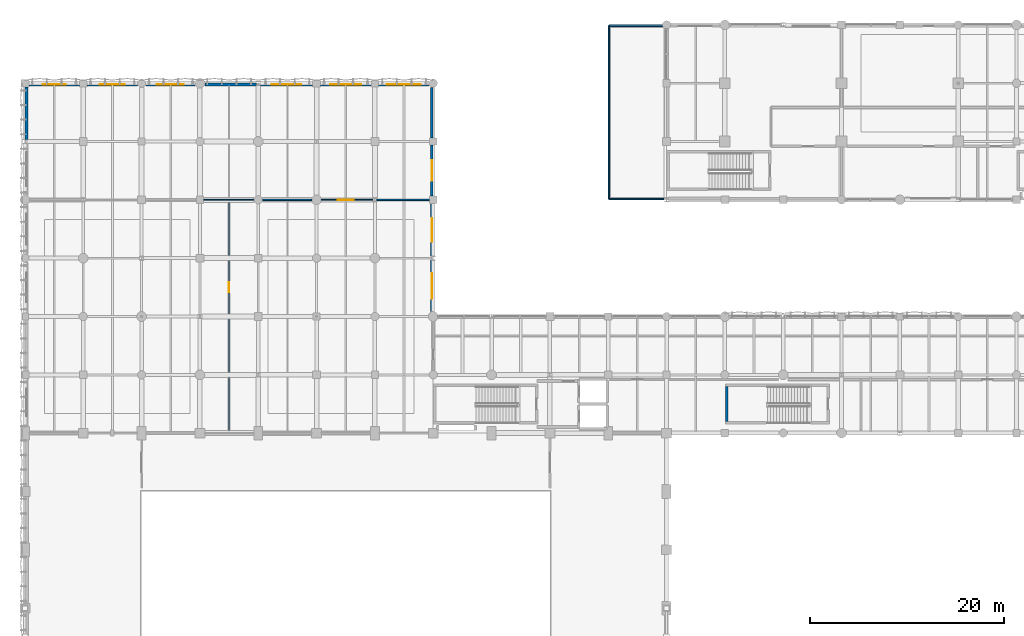
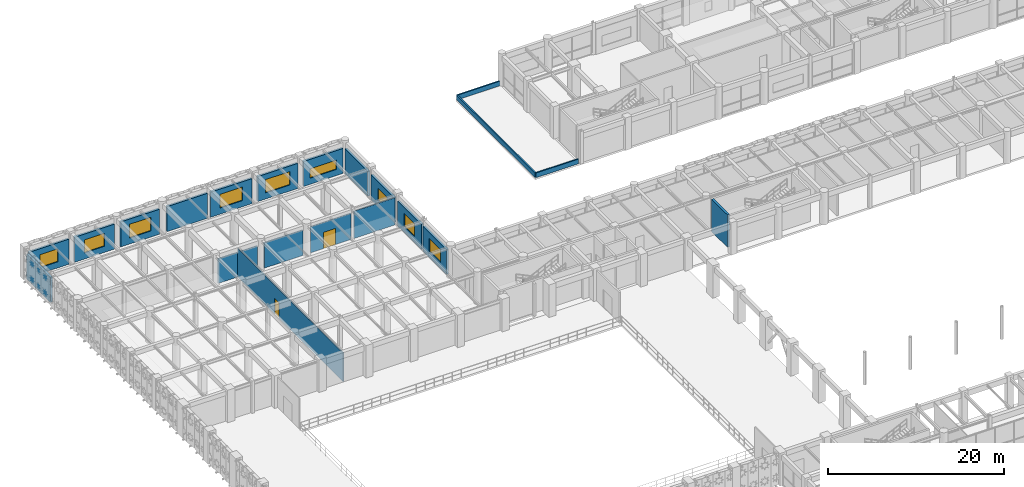
# One storey, part 100 of 133: 21 walls, 9 windows, 2 doors, 11 openings.
"""IFC4 building model written with IfcOpenShell, lengths in metres."""

import ifcopenshell
import ifcopenshell.guid

model = None  # the IFC model being written
_history = None  # IfcOwnerHistory: only IFC2X3 demands one
_inside = {}  # id of a spatial element -> (the spatial element, [elements in it])
_under = {}  # id of a project, library or spatial element -> (it, [spatial elements below it])
_declared = {}  # id of a project -> (the project, [libraries it declares])
_typed = {}  # id of a type object -> (the type object, [elements of that type])
_made_of = {}  # id of a material, layer set ... -> (it, [elements and type objects made of it])


def new_model(schema):
    """Start an empty IFC model of exactly this schema.

    Asked for "IFC4X3", IfcOpenShell would pick the latest addendum, in which some entities
    have other attributes; the version numbers below select the first issue.
    IFC2X3 requires an IfcOwnerHistory on every rooted entity: one is made here for all.
    """
    global model, _history
    if schema == "IFC4X3":
        model = ifcopenshell.file(schema_version=(4, 3, 0, 0))
    else:
        model = ifcopenshell.file(schema=schema)
    _inside.clear()
    _under.clear()
    _declared.clear()
    _typed.clear()
    _made_of.clear()
    _history = None
    if model.schema == "IFC2X3":
        org = make("IfcOrganization", Name="unknown")
        user = make(
            "IfcPersonAndOrganization",
            ThePerson=make("IfcPerson", FamilyName="unknown"),
            TheOrganization=org,
        )
        app = make(
            "IfcApplication",
            ApplicationDeveloper=org,
            Version="unknown",
            ApplicationFullName="unknown",
            ApplicationIdentifier="unknown",
        )
        _history = make(
            "IfcOwnerHistory",
            OwningUser=user,
            OwningApplication=app,
            ChangeAction="ADDED",
            CreationDate=0,
        )
    return model


def make(cls, **values):
    """One entity of the class cls with the attributes given. An attribute that is None is left unset."""
    return model.create_entity(
        cls, **{name: value for name, value in values.items() if value is not None}
    )


def rooted(cls, **values):
    """An entity with a GlobalId (a new one), such as an element, a storey or a relation."""
    return make(cls, GlobalId=ifcopenshell.guid.new(), OwnerHistory=_history, **values)


def si_unit(unit_type, name, prefix=None):
    """IfcSIUnit, for example si_unit("LENGTHUNIT", "METRE", prefix="MILLI")."""
    return make("IfcSIUnit", UnitType=unit_type, Prefix=prefix, Name=name)


def assignment(units):
    """IfcUnitAssignment: the units of a project."""
    return None if units is None else make("IfcUnitAssignment", Units=units)


def point(xyz):
    """IfcCartesianPoint."""
    return None if xyz is None else make("IfcCartesianPoint", Coordinates=xyz)


def direction(xyz):
    """IfcDirection."""
    return None if xyz is None else make("IfcDirection", DirectionRatios=xyz)


def frame(location, z_axis=None, x_axis=None):
    """IfcAxis2Placement3D, a coordinate frame: its origin and axes. An axis left out is left unset."""
    return make(
        "IfcAxis2Placement3D",
        Location=point(location),
        Axis=direction(z_axis),
        RefDirection=direction(x_axis),
    )


def frame_2d(location, x_axis=None):
    """IfcAxis2Placement2D, a coordinate frame in the plane: its origin and x axis."""
    return make(
        "IfcAxis2Placement2D", Location=point(location), RefDirection=direction(x_axis)
    )


def origin():
    """The frame at (0, 0, 0) with its axes left unset."""
    return frame((0.0, 0.0, 0.0))


def place(relative_to, where):
    """IfcLocalPlacement: puts the frame where relative to a parent placement (None: the world)."""
    return make(
        "IfcLocalPlacement", PlacementRelTo=relative_to, RelativePlacement=where
    )


def context(
    kind, dimensions, precision=None, world=None, true_north=None, identifier=None
):
    """IfcGeometricRepresentationContext, for example the 3D "Model" context."""
    return make(
        "IfcGeometricRepresentationContext",
        ContextIdentifier=identifier,
        ContextType=kind,
        CoordinateSpaceDimension=dimensions,
        Precision=precision,
        WorldCoordinateSystem=world,
        TrueNorth=true_north,
    )


def subcontext(parent, identifier, kind, view, scale=None):
    """IfcGeometricRepresentationSubContext, for example "Body" below "Model"."""
    return make(
        "IfcGeometricRepresentationSubContext",
        ContextIdentifier=identifier,
        ContextType=kind,
        ParentContext=parent,
        TargetScale=scale,
        TargetView=view,
    )


def project(units=None, contexts=None):
    """IfcProject with its units and contexts."""
    return rooted(
        "IfcProject",
        Name="project",
        RepresentationContexts=contexts,
        UnitsInContext=assignment(units),
    )


def spatial(cls, under=None, at=None, **own):
    """A site, building, storey or space (cls), placed at a placement, below another one or the project."""
    s = rooted(cls, ObjectPlacement=at, **own)
    if under is not None:
        _under.setdefault(under.id(), (under, []))[1].append(s)
    return s


def profile(cls, at=None, kind="AREA", **sizes):
    """A parametric profile (cls). Its sizes go by their IFC names, for example OverallWidth=200.0."""
    return make(cls, ProfileType=kind, Position=at, **sizes)


def rectangle(**sizes):
    """IfcRectangleProfileDef."""
    return profile("IfcRectangleProfileDef", **sizes)


def extrude(swept, where, along, depth):
    """IfcExtrudedAreaSolid: the profile swept, set in the frame where, extruded along a direction by depth."""
    return make(
        "IfcExtrudedAreaSolid",
        SweptArea=swept,
        Position=where,
        ExtrudedDirection=direction(along),
        Depth=depth,
    )


def shape(context_of_items, identifier, shape_type, items):
    """IfcShapeRepresentation: the items that make up one representation, for example the "Body"."""
    return make(
        "IfcShapeRepresentation",
        ContextOfItems=context_of_items,
        RepresentationIdentifier=identifier,
        RepresentationType=shape_type,
        Items=items,
    )


def material(Name=None, Category=None):
    """IfcMaterial."""
    return make("IfcMaterial", Name=Name, Category=Category)


def layer(
    of_material, thickness, ventilated=None, Name=None, Category=None, Priority=None
):
    """IfcMaterialLayer: one layer of a wall or slab, of a material (None: an air gap)."""
    return make(
        "IfcMaterialLayer",
        Material=of_material,
        LayerThickness=thickness,
        IsVentilated=ventilated,
        Name=Name,
        Category=Category,
        Priority=Priority,
    )


def layer_set(layers, Name=None):
    """IfcMaterialLayerSet."""
    return make("IfcMaterialLayerSet", MaterialLayers=layers, LayerSetName=Name)


def made_of(thing, what):
    """Note that an element or type object is made of a material, layer set ...; save() writes the relation."""
    if what is not None:
        _made_of.setdefault(what.id(), (what, []))[1].append(thing)
    return thing


def type_object(cls, material=None, **own):
    """A type object (cls), such as IfcWallType, which elements share."""
    return made_of(rooted(cls, **own), material)


def element(
    cls,
    number,
    at=None,
    inside=None,
    cuts=None,
    type_object=None,
    material=None,
    context=None,
    identifier="Body",
    shape_type=None,
    held_by="IfcProductDefinitionShape",
    body=None,
    shapes=None,
    **own,
):
    """One element of the class cls, such as IfcWall. Its Tag is "e" and its number.

    at: its placement. inside: the storey or other place that contains it. cuts: it is an
    opening in that element (IfcRelVoidsElement). A single representation is given by context,
    identifier, shape_type and body (its items); several are given by shapes. held_by: the class
    of the entity that holds the representations. save() writes the other relations.
    """
    e = rooted(cls, Tag="e%d" % number, ObjectPlacement=at, **own)
    if body is not None:
        shapes = [shape(context, identifier, shape_type, body)]
    if shapes is not None:
        e.Representation = make(held_by, Representations=shapes)
    if inside is not None:
        _inside.setdefault(inside.id(), (inside, []))[1].append(e)
    if cuts is not None:
        rooted(
            "IfcRelVoidsElement", RelatingBuildingElement=cuts, RelatedOpeningElement=e
        )
    if type_object is not None:
        _typed.setdefault(type_object.id(), (type_object, []))[1].append(e)
    return made_of(e, material)


def fill(opening, filler):
    """IfcRelFillsElement: the door or window that sits in an opening."""
    return rooted(
        "IfcRelFillsElement",
        RelatingOpeningElement=opening,
        RelatedBuildingElement=filler,
    )


def aggregate(whole, parts):
    """IfcRelAggregates: a whole, such as a stair, and the parts it consists of."""
    return rooted("IfcRelAggregates", RelatingObject=whole, RelatedObjects=parts)


def save(model, path):
    """Write the relations noted so far, then the file.

    IfcRelAggregates (storeys below a building ...), IfcRelContainedInSpatialStructure (elements
    in a storey), IfcRelDefinesByType, IfcRelAssociatesMaterial and IfcRelDeclares: one each for
    every whole, place, type object, material and project.
    """
    for whole, parts in _under.values():
        aggregate(whole, parts)
    for where, things in _inside.values():
        rooted(
            "IfcRelContainedInSpatialStructure",
            RelatedElements=things,
            RelatingStructure=where,
        )
    for kind, things in _typed.values():
        rooted("IfcRelDefinesByType", RelatedObjects=things, RelatingType=kind)
    for what, things in _made_of.values():
        rooted("IfcRelAssociatesMaterial", RelatedObjects=things, RelatingMaterial=what)
    for by, libraries in _declared.values():
        rooted("IfcRelDeclares", RelatingContext=by, RelatedDefinitions=libraries)
    model.write(path)


model = new_model("IFC4")

# Units and contexts
model_context = context("Model", 3, precision=1e-05, world=origin(), true_north=direction((0.0, 1.0)))
body_context = subcontext(model_context, "Body", "Model", "MODEL_VIEW")
ifc_project = project(units=[si_unit("LENGTHUNIT", "METRE"), si_unit("AREAUNIT", "SQUARE_METRE"), si_unit("VOLUMEUNIT", "CUBIC_METRE"), si_unit("PLANEANGLEUNIT", "RADIAN"), si_unit("MASSUNIT", "GRAM", prefix="KILO"), si_unit("THERMODYNAMICTEMPERATUREUNIT", "KELVIN"), si_unit("POWERUNIT", "WATT")], contexts=[model_context])

# Site, building, storey
site_placement = place(None, origin())
site = spatial("IfcSite", under=ifc_project, at=site_placement, CompositionType="ELEMENT")
building_placement = place(site_placement, origin())
building = spatial("IfcBuilding", under=site, at=building_placement, Name="Phaisarnlok Congress Hotel", CompositionType="ELEMENT")
storey_placement = place(building_placement, frame((0.0, 0.0, 6.0)))
storey = spatial("IfcBuildingStorey", under=building, at=storey_placement, Name="L01", CompositionType="ELEMENT", Elevation=6.0)

# Wall, opening, window
ifc_material_1 = material(Name="Concrete C40/50", Category="concrete")
ifc_layer_1 = layer(ifc_material_1, 0.2900390625, Name="Concrete C40/50")
ifc_layer_set_1 = layer_set([ifc_layer_1], Name="Concrete C40/50")
wall_type_1 = type_object("IfcWallType", Name="WL-EXT-290", PredefinedType="SOLIDWALL", material=ifc_layer_set_1)
wall_1_placement = place(storey_placement, frame((41.85498046875, 96.5048828125, 0.0), z_axis=(0.0, 0.0, 1.0), x_axis=(0.0, 1.0, 0.0)))
wall_1 = element("IfcWall", 1, at=wall_1_placement, inside=storey, type_object=wall_type_1, Name="Exterior wall EW-03 (L01)", PredefinedType="SOLIDWALL", context=body_context, shape_type="SweptSolid", body=[
    extrude(rectangle(XDim=5.29052734375, YDim=0.2900390625, at=frame_2d((2.645263671875, 0.0))), origin(), (0.0, 0.0, 1.0), 3.469970703125),
])
opening_1_placement = place(wall_1_placement, frame((1.344970703125, 0.0, 0.85009765625)))
opening_1 = element("IfcOpeningElement", 2, at=opening_1_placement, cuts=wall_1, Name="Opening W-07", PredefinedType="OPENING", context=body_context, shape_type="SweptSolid", body=[
    extrude(rectangle(XDim=2.60009765625, YDim=1.800048828125, at=frame_2d((1.300048828125, 0.89990234375))), frame((0.0, 0.155029296875, 0.0), z_axis=(0.0, -1.0, 0.0), x_axis=(1.0, 0.0, 0.0)), (0.0, 0.0, 1.0), 0.31005859375),
])
ifc_material_2 = material(Name="Thermally Broken Aluminium & Low-E Double Glazing", Category="aluminium")
window_type_1 = type_object("IfcWindowType", Name="WIN-POD-2600", PartitioningType="SINGLE_PANEL", PredefinedType="WINDOW", material=ifc_material_2)
window_1_placement = place(opening_1_placement, origin())
window_1 = element("IfcWindow", 3, at=window_1_placement, inside=storey, type_object=window_type_1, Name="Podium window W-07 (L01)", OverallHeight=1.800048828125, OverallWidth=2.60009765625, PartitioningType="SINGLE_PANEL", PredefinedType="WINDOW", context=body_context, shape_type="SweptSolid", body=[
    extrude(rectangle(XDim=2.60009765625, YDim=1.800048828125, at=frame_2d((1.300048828125, 0.89990234375))), frame((0.0, 0.030029296875, 0.0), z_axis=(0.0, -1.0, 0.0), x_axis=(1.0, 0.0, 0.0)), (0.0, 0.0, 1.0), 0.06005859375),
])
fill(opening_1, window_1)

wall_2_placement = place(storey_placement, frame((41.85498046875, 102.20458984375, 0.0), z_axis=(0.0, 0.0, 1.0), x_axis=(0.0, 1.0, 0.0)))
wall_2 = element("IfcWall", 4, at=wall_2_placement, inside=storey, type_object=wall_type_1, Name="Exterior wall EW-03 (L01)", PredefinedType="SOLIDWALL", context=body_context, shape_type="SweptSolid", body=[
    extrude(rectangle(XDim=5.390380859375, YDim=0.2900390625, at=frame_2d((2.6953125, 0.0))), origin(), (0.0, 0.0, 1.0), 3.469970703125),
])
opening_2_placement = place(wall_2_placement, frame((1.4951171875, 0.0, 0.85009765625)))
opening_2 = element("IfcOpeningElement", 5, at=opening_2_placement, cuts=wall_2, Name="Opening W-08", PredefinedType="OPENING", context=body_context, shape_type="SweptSolid", body=[
    extrude(rectangle(XDim=2.39990234375, YDim=1.800048828125, at=frame_2d((1.199951171875, 0.89990234375))), frame((0.0, 0.155029296875, 0.0), z_axis=(0.0, -1.0, 0.0), x_axis=(1.0, 0.0, 0.0)), (0.0, 0.0, 1.0), 0.31005859375),
])
window_type_2 = type_object("IfcWindowType", Name="WIN-POD-2400", PartitioningType="SINGLE_PANEL", PredefinedType="WINDOW", material=ifc_material_2)
window_2_placement = place(opening_2_placement, origin())
window_2 = element("IfcWindow", 6, at=window_2_placement, inside=storey, type_object=window_type_2, Name="Podium window W-08 (L01)", OverallHeight=1.800048828125, OverallWidth=2.39990234375, PartitioningType="SINGLE_PANEL", PredefinedType="WINDOW", context=body_context, shape_type="SweptSolid", body=[
    extrude(rectangle(XDim=2.39990234375, YDim=1.800048828125, at=frame_2d((1.199951171875, 0.89990234375))), frame((0.0, 0.030029296875, 0.0), z_axis=(0.0, -1.0, 0.0), x_axis=(1.0, 0.0, 0.0)), (0.0, 0.0, 1.0), 0.06005859375),
])
fill(opening_2, window_2)

wall_3_placement = place(storey_placement, frame((41.85498046875, 108.405029296875, 0.0), z_axis=(0.0, 0.0, 1.0), x_axis=(0.0, 1.0, 0.0)))
wall_3 = element("IfcWall", 7, at=wall_3_placement, inside=storey, type_object=wall_type_1, Name="Exterior wall EW-03 (L01)", PredefinedType="SOLIDWALL", context=body_context, shape_type="SweptSolid", body=[
    extrude(rectangle(XDim=5.215087890625, YDim=0.2900390625, at=frame_2d((2.607421875, 0.0))), origin(), (0.0, 0.0, 1.0), 3.469970703125),
])
opening_3_placement = place(wall_3_placement, frame((1.55810546875, 0.0, 0.85009765625)))
opening_3 = element("IfcOpeningElement", 8, at=opening_3_placement, cuts=wall_3, Name="Opening W-09", PredefinedType="OPENING", context=body_context, shape_type="SweptSolid", body=[
    extrude(rectangle(XDim=2.10009765625, YDim=1.699951171875, at=frame_2d((1.050048828125, 0.85009765625))), frame((0.0, 0.155029296875, 0.0), z_axis=(0.0, -1.0, 0.0), x_axis=(1.0, 0.0, 0.0)), (0.0, 0.0, 1.0), 0.31005859375),
])
window_type_3 = type_object("IfcWindowType", Name="WIN-POD-2100", PartitioningType="SINGLE_PANEL", PredefinedType="WINDOW", material=ifc_material_2)
window_3_placement = place(opening_3_placement, origin())
window_3 = element("IfcWindow", 9, at=window_3_placement, inside=storey, type_object=window_type_3, Name="Podium window W-09 (L01)", OverallHeight=1.699951171875, OverallWidth=2.10009765625, PartitioningType="SINGLE_PANEL", PredefinedType="WINDOW", context=body_context, shape_type="SweptSolid", body=[
    extrude(rectangle(XDim=2.10009765625, YDim=1.699951171875, at=frame_2d((1.050048828125, 0.85009765625))), frame((0.0, 0.030029296875, 0.0), z_axis=(0.0, -1.0, 0.0), x_axis=(1.0, 0.0, 0.0)), (0.0, 0.0, 1.0), 0.06005859375),
])
fill(opening_3, window_3)

# Wall
wall_4_placement = place(storey_placement, frame((41.85498046875, 114.3798828125, 0.0), z_axis=(0.0, 0.0, 1.0), x_axis=(0.0, 1.0, 0.0)))
element("IfcWall", 10, at=wall_4_placement, inside=storey, type_object=wall_type_1, Name="Exterior wall EW-03 (L01)", PredefinedType="SOLIDWALL", context=body_context, shape_type="SweptSolid", body=[
    extrude(rectangle(XDim=5.190185546875, YDim=0.2900390625, at=frame_2d((2.59521484375, 0.0))), origin(), (0.0, 0.0, 1.0), 3.469970703125),
])

# Wall, opening, window
wall_5_placement = place(storey_placement, frame((41.570068359375, 119.85498046875, 0.0), z_axis=(0.0, 0.0, 1.0), x_axis=(-1.0, 0.0, 0.0)))
wall_5 = element("IfcWall", 11, at=wall_5_placement, inside=storey, type_object=wall_type_1, Name="Exterior wall EW-03 (L01)", PredefinedType="SOLIDWALL", context=body_context, shape_type="SweptSolid", body=[
    extrude(rectangle(XDim=5.190185546875, YDim=0.2900390625, at=frame_2d((2.59521484375, 0.0))), origin(), (0.0, 0.0, 1.0), 3.469970703125),
])
opening_4_placement = place(wall_5_placement, frame((0.844970703125, 0.0, 0.85009765625)))
opening_4 = element("IfcOpeningElement", 12, at=opening_4_placement, cuts=wall_5, Name="Opening W-20", PredefinedType="OPENING", context=body_context, shape_type="SweptSolid", body=[
    extrude(rectangle(XDim=3.5, YDim=1.300048828125, at=frame_2d((1.75, 0.64990234375))), frame((0.0, 0.155029296875, 0.0), z_axis=(0.0, -1.0, 0.0), x_axis=(1.0, 0.0, 0.0)), (0.0, 0.0, 1.0), 0.31005859375),
])
window_type_4 = type_object("IfcWindowType", Name="WIN-CLER-3500", PartitioningType="SINGLE_PANEL", PredefinedType="WINDOW", material=ifc_material_2)
window_4_placement = place(opening_4_placement, origin())
window_4 = element("IfcWindow", 13, at=window_4_placement, inside=storey, type_object=window_type_4, Name="Podium window W-20 (L01)", OverallHeight=1.300048828125, OverallWidth=3.5, PartitioningType="SINGLE_PANEL", PredefinedType="WINDOW", context=body_context, shape_type="SweptSolid", body=[
    extrude(rectangle(XDim=3.5, YDim=1.300048828125, at=frame_2d((1.75, 0.64990234375))), frame((0.0, 0.030029296875, 0.0), z_axis=(0.0, -1.0, 0.0), x_axis=(1.0, 0.0, 0.0)), (0.0, 0.0, 1.0), 0.06005859375),
])
fill(opening_4, window_4)

wall_6_placement = place(storey_placement, frame((35.6201171875, 119.85498046875, 0.0), z_axis=(0.0, 0.0, 1.0), x_axis=(-1.0, 0.0, 0.0)))
wall_6 = element("IfcWall", 14, at=wall_6_placement, inside=storey, type_object=wall_type_1, Name="Exterior wall EW-03 (L01)", PredefinedType="SOLIDWALL", context=body_context, shape_type="SweptSolid", body=[
    extrude(rectangle(XDim=5.215087890625, YDim=0.2900390625, at=frame_2d((2.607421875, 0.0))), origin(), (0.0, 0.0, 1.0), 3.469970703125),
])
opening_5_placement = place(wall_6_placement, frame((1.007080078125, 0.0, 0.85009765625)))
opening_5 = element("IfcOpeningElement", 15, at=opening_5_placement, cuts=wall_6, Name="Opening W-04", PredefinedType="OPENING", context=body_context, shape_type="SweptSolid", body=[
    extrude(rectangle(XDim=3.199951171875, YDim=1.85009765625, at=frame_2d((1.60009765625, 0.925048828125))), frame((0.0, 0.155029296875, 0.0), z_axis=(0.0, -1.0, 0.0), x_axis=(1.0, 0.0, 0.0)), (0.0, 0.0, 1.0), 0.31005859375),
])
window_type_5 = type_object("IfcWindowType", Name="WIN-SUITE-3200", PartitioningType="SINGLE_PANEL", PredefinedType="WINDOW", material=ifc_material_2)
window_5_placement = place(opening_5_placement, origin())
window_5 = element("IfcWindow", 16, at=window_5_placement, inside=storey, type_object=window_type_5, Name="Podium window W-04 (L01)", OverallHeight=1.85009765625, OverallWidth=3.199951171875, PartitioningType="SINGLE_PANEL", PredefinedType="WINDOW", context=body_context, shape_type="SweptSolid", body=[
    extrude(rectangle(XDim=3.199951171875, YDim=1.85009765625, at=frame_2d((1.60009765625, 0.925048828125))), frame((0.0, 0.030029296875, 0.0), z_axis=(0.0, -1.0, 0.0), x_axis=(1.0, 0.0, 0.0)), (0.0, 0.0, 1.0), 0.06005859375),
])
fill(opening_5, window_5)

wall_7_placement = place(storey_placement, frame((29.594970703125, 119.85498046875, 0.0), z_axis=(0.0, 0.0, 1.0), x_axis=(-1.0, 0.0, 0.0)))
wall_7 = element("IfcWall", 17, at=wall_7_placement, inside=storey, type_object=wall_type_1, Name="Exterior wall EW-03 (L01)", PredefinedType="SOLIDWALL", context=body_context, shape_type="SweptSolid", body=[
    extrude(rectangle(XDim=5.389404296875, YDim=0.2900390625, at=frame_2d((2.69482421875, 0.0))), origin(), (0.0, 0.0, 1.0), 3.469970703125),
])
opening_6_placement = place(wall_7_placement, frame((1.195068359375, 0.0, 0.85009765625)))
opening_6 = element("IfcOpeningElement", 18, at=opening_6_placement, cuts=wall_7, Name="Opening W-05", PredefinedType="OPENING", context=body_context, shape_type="SweptSolid", body=[
    extrude(rectangle(XDim=3.0, YDim=1.89990234375, at=frame_2d((1.5, 0.949951171875))), frame((0.0, 0.155029296875, 0.0), z_axis=(0.0, -1.0, 0.0), x_axis=(1.0, 0.0, 0.0)), (0.0, 0.0, 1.0), 0.31005859375),
])
window_type_6 = type_object("IfcWindowType", Name="WIN-POD-3000", PartitioningType="SINGLE_PANEL", PredefinedType="WINDOW", material=ifc_material_2)
window_6_placement = place(opening_6_placement, origin())
window_6 = element("IfcWindow", 19, at=window_6_placement, inside=storey, type_object=window_type_6, Name="Podium window W-05 (L01)", OverallHeight=1.89990234375, OverallWidth=3.0, PartitioningType="SINGLE_PANEL", PredefinedType="WINDOW", context=body_context, shape_type="SweptSolid", body=[
    extrude(rectangle(XDim=3.0, YDim=1.89990234375, at=frame_2d((1.5, 0.949951171875))), frame((0.0, 0.030029296875, 0.0), z_axis=(0.0, -1.0, 0.0), x_axis=(1.0, 0.0, 0.0)), (0.0, 0.0, 1.0), 0.06005859375),
])
fill(opening_6, window_6)

# Wall
wall_8_placement = place(storey_placement, frame((23.79443359375, 119.85498046875, 0.0), z_axis=(0.0, 0.0, 1.0), x_axis=(-1.0, 0.0, 0.0)))
element("IfcWall", 20, at=wall_8_placement, inside=storey, type_object=wall_type_1, Name="Exterior wall EW-03 (L01)", PredefinedType="SOLIDWALL", context=body_context, shape_type="SweptSolid", body=[
    extrude(rectangle(XDim=5.28955078125, YDim=0.2900390625, at=frame_2d((2.644775390625, 0.0))), origin(), (0.0, 0.0, 1.0), 3.469970703125),
])

# Wall, opening, window
wall_9_placement = place(storey_placement, frame((17.4951171875, 119.85498046875, 0.0), z_axis=(0.0, 0.0, 1.0), x_axis=(-1.0, 0.0, 0.0)))
wall_9 = element("IfcWall", 21, at=wall_9_placement, inside=storey, type_object=wall_type_1, Name="Exterior wall EW-03 (L01)", PredefinedType="SOLIDWALL", context=body_context, shape_type="SweptSolid", body=[
    extrude(rectangle(XDim=5.065185546875, YDim=0.2900390625, at=frame_2d((2.53271484375, 0.0))), origin(), (0.0, 0.0, 1.0), 3.469970703125),
])
opening_7_placement = place(wall_9_placement, frame((1.133056640625, 0.0, 0.85009765625)))
opening_7 = element("IfcOpeningElement", 22, at=opening_7_placement, cuts=wall_9, Name="Opening W-06", PredefinedType="OPENING", context=body_context, shape_type="SweptSolid", body=[
    extrude(rectangle(XDim=2.800048828125, YDim=1.89990234375, at=frame_2d((1.39990234375, 0.949951171875))), frame((0.0, 0.155029296875, 0.0), z_axis=(0.0, -1.0, 0.0), x_axis=(1.0, 0.0, 0.0)), (0.0, 0.0, 1.0), 0.31005859375),
])
window_type_7 = type_object("IfcWindowType", Name="WIN-POD-2800", PartitioningType="SINGLE_PANEL", PredefinedType="WINDOW", material=ifc_material_2)
window_7_placement = place(opening_7_placement, origin())
window_7 = element("IfcWindow", 23, at=window_7_placement, inside=storey, type_object=window_type_7, Name="Podium window W-06 (L01)", OverallHeight=1.89990234375, OverallWidth=2.800048828125, PartitioningType="SINGLE_PANEL", PredefinedType="WINDOW", context=body_context, shape_type="SweptSolid", body=[
    extrude(rectangle(XDim=2.800048828125, YDim=1.89990234375, at=frame_2d((1.39990234375, 0.949951171875))), frame((0.0, 0.030029296875, 0.0), z_axis=(0.0, -1.0, 0.0), x_axis=(1.0, 0.0, 0.0)), (0.0, 0.0, 1.0), 0.06005859375),
])
fill(opening_7, window_7)

wall_10_placement = place(storey_placement, frame((11.570068359375, 119.85498046875, 0.0), z_axis=(0.0, 0.0, 1.0), x_axis=(-1.0, 0.0, 0.0)))
wall_10 = element("IfcWall", 24, at=wall_10_placement, inside=storey, type_object=wall_type_1, Name="Exterior wall EW-03 (L01)", PredefinedType="SOLIDWALL", context=body_context, shape_type="SweptSolid", body=[
    extrude(rectangle(XDim=5.190185546875, YDim=0.2900390625, at=frame_2d((2.59521484375, 0.0))), origin(), (0.0, 0.0, 1.0), 3.469970703125),
])
opening_8_placement = place(wall_10_placement, frame((1.294921875, 0.0, 0.85009765625)))
opening_8 = element("IfcOpeningElement", 25, at=opening_8_placement, cuts=wall_10, Name="Opening W-07", PredefinedType="OPENING", context=body_context, shape_type="SweptSolid", body=[
    extrude(rectangle(XDim=2.60009765625, YDim=1.800048828125, at=frame_2d((1.300048828125, 0.89990234375))), frame((0.0, 0.155029296875, 0.0), z_axis=(0.0, -1.0, 0.0), x_axis=(1.0, 0.0, 0.0)), (0.0, 0.0, 1.0), 0.31005859375),
])
window_8_placement = place(opening_8_placement, origin())
window_8 = element("IfcWindow", 26, at=window_8_placement, inside=storey, type_object=window_type_1, Name="Podium window W-07 (L01)", OverallHeight=1.800048828125, OverallWidth=2.60009765625, PartitioningType="SINGLE_PANEL", PredefinedType="WINDOW", context=body_context, shape_type="SweptSolid", body=[
    extrude(rectangle(XDim=2.60009765625, YDim=1.800048828125, at=frame_2d((1.300048828125, 0.89990234375))), frame((0.0, 0.030029296875, 0.0), z_axis=(0.0, -1.0, 0.0), x_axis=(1.0, 0.0, 0.0)), (0.0, 0.0, 1.0), 0.06005859375),
])
fill(opening_8, window_8)

wall_11_placement = place(storey_placement, frame((5.6201171875, 119.85498046875, 0.0), z_axis=(0.0, 0.0, 1.0), x_axis=(-1.0, 0.0, 0.0)))
wall_11 = element("IfcWall", 27, at=wall_11_placement, inside=storey, type_object=wall_type_1, Name="Exterior wall EW-03 (L01)", PredefinedType="SOLIDWALL", context=body_context, shape_type="SweptSolid", body=[
    extrude(rectangle(XDim=5.215087890625, YDim=0.2900390625, at=frame_2d((2.607421875, 0.0))), origin(), (0.0, 0.0, 1.0), 3.469970703125),
])
opening_9_placement = place(wall_11_placement, frame((1.406982421875, 0.0, 0.85009765625)))
opening_9 = element("IfcOpeningElement", 28, at=opening_9_placement, cuts=wall_11, Name="Opening W-08", PredefinedType="OPENING", context=body_context, shape_type="SweptSolid", body=[
    extrude(rectangle(XDim=2.39990234375, YDim=1.800048828125, at=frame_2d((1.199951171875, 0.89990234375))), frame((0.0, 0.155029296875, 0.0), z_axis=(0.0, -1.0, 0.0), x_axis=(1.0, 0.0, 0.0)), (0.0, 0.0, 1.0), 0.31005859375),
])
window_9_placement = place(opening_9_placement, origin())
window_9 = element("IfcWindow", 29, at=window_9_placement, inside=storey, type_object=window_type_2, Name="Podium window W-08 (L01)", OverallHeight=1.800048828125, OverallWidth=2.39990234375, PartitioningType="SINGLE_PANEL", PredefinedType="WINDOW", context=body_context, shape_type="SweptSolid", body=[
    extrude(rectangle(XDim=2.39990234375, YDim=1.800048828125, at=frame_2d((1.199951171875, 0.89990234375))), frame((0.0, 0.030029296875, 0.0), z_axis=(0.0, -1.0, 0.0), x_axis=(1.0, 0.0, 0.0)), (0.0, 0.0, 1.0), 0.06005859375),
])
fill(opening_9, window_9)

# Walls
wall_12_placement = place(storey_placement, frame((0.14501953125, 119.594970703125, 0.0), z_axis=(0.0, 0.0, 1.0), x_axis=(0.0, -1.0, 0.0)))
element("IfcWall", 30, at=wall_12_placement, inside=storey, type_object=wall_type_1, Name="Exterior wall EW-03 (L01)", PredefinedType="SOLIDWALL", context=body_context, shape_type="SweptSolid", body=[
    extrude(rectangle(XDim=5.390380859375, YDim=0.2900390625, at=frame_2d((2.6953125, 0.0))), origin(), (0.0, 0.0, 1.0), 3.469970703125),
])
ifc_material_3 = material(Name="Lightweight Metal-Stud Gypsum Partition", Category="gypsum")
ifc_layer_2 = layer(ifc_material_3, 0.1201171875, Name="Lightweight Metal-Stud Gypsum Partition")
ifc_layer_set_2 = layer_set([ifc_layer_2], Name="Lightweight Metal-Stud Gypsum Partition")
wall_type_2 = type_object("IfcWallType", Name="WL-INT-120", PredefinedType="PARTITIONING", material=ifc_layer_set_2)
wall_13_placement = place(storey_placement, frame((18.3798828125, 108.0, 0.0), z_axis=(0.0, 0.0, 1.0), x_axis=(1.0, 0.0, 0.0)))
element("IfcWall", 31, at=wall_13_placement, inside=storey, type_object=wall_type_2, Name="Interior partition wall IW-07 (L01)", PredefinedType="PARTITIONING", context=body_context, shape_type="SweptSolid", body=[
    extrude(rectangle(XDim=5.190185546875, YDim=0.1201171875, at=frame_2d((2.59521484375, 0.0))), origin(), (0.0, 0.0, 1.0), 3.419921875),
])

# Wall, opening, door
wall_14_placement = place(storey_placement, frame((30.5048828125, 108.0, 0.0), z_axis=(0.0, 0.0, 1.0), x_axis=(1.0, 0.0, 0.0)))
wall_14 = element("IfcWall", 32, at=wall_14_placement, inside=storey, type_object=wall_type_2, Name="Interior partition wall IW-07 (L01)", PredefinedType="PARTITIONING", context=body_context, shape_type="SweptSolid", body=[
    extrude(rectangle(XDim=5.28955078125, YDim=0.1201171875, at=frame_2d((2.644775390625, 0.0))), origin(), (0.0, 0.0, 1.0), 3.6201171875),
])
opening_10_placement = place(wall_14_placement, frame((1.695068359375, 0.0, 0.0)))
opening_10 = element("IfcOpeningElement", 33, at=opening_10_placement, cuts=wall_14, Name="Opening D-0063", PredefinedType="OPENING", context=body_context, shape_type="SweptSolid", body=[
    extrude(rectangle(XDim=1.60009765625, YDim=2.25, at=frame_2d((0.800048828125, 1.125))), frame((0.0, 0.070068359375, 0.0), z_axis=(0.0, -1.0, 0.0), x_axis=(1.0, 0.0, 0.0)), (0.0, 0.0, 1.0), 0.14013671875),
])
ifc_material_4 = material(Name="Frameless Tempered Acoustic Glass", Category="glass")
door_type_1 = type_object("IfcDoorType", Name="DR-GLZ-1600", OperationType="DOUBLE_DOOR_SINGLE_SWING", PredefinedType="DOOR", material=ifc_material_4)
door_1_placement = place(opening_10_placement, origin())
door_1 = element("IfcDoor", 34, at=door_1_placement, inside=storey, type_object=door_type_1, Name="Interior door D-0063 (L01)", OperationType="DOUBLE_DOOR_SINGLE_SWING", OverallHeight=2.25, OverallWidth=1.60009765625, PredefinedType="DOOR", context=body_context, shape_type="SweptSolid", body=[
    extrude(rectangle(XDim=1.60009765625, YDim=2.25, at=frame_2d((0.800048828125, 1.125))), frame((0.0, 0.02490234375, 0.0), z_axis=(0.0, -1.0, 0.0), x_axis=(1.0, 0.0, 0.0)), (0.0, 0.0, 1.0), 0.050048828125),
])
fill(opening_10, door_1)

ifc_material_5 = material(Name="Moisture-Resistant Gypsum Partition", Category="gypsum")
ifc_layer_3 = layer(ifc_material_5, 0.135009765625, Name="Moisture-Resistant Gypsum Partition")
ifc_layer_set_3 = layer_set([ifc_layer_3], Name="Moisture-Resistant Gypsum Partition")
wall_type_3 = type_object("IfcWallType", Name="WL-INT-135", PredefinedType="PARTITIONING", material=ifc_layer_set_3)
wall_15_placement = place(storey_placement, frame((21.0, 84.0, 0.0), z_axis=(0.0, 0.0, 1.0), x_axis=(0.0, 1.0, 0.0)))
wall_15 = element("IfcWall", 35, at=wall_15_placement, inside=storey, type_object=wall_type_3, Name="Interior partition wall IW-06 (L01)", PredefinedType="PARTITIONING", context=body_context, shape_type="SweptSolid", body=[
    extrude(rectangle(XDim=24.0, YDim=0.135009765625, at=frame_2d((12.0, 0.0))), origin(), (0.0, 0.0, 1.0), 3.949951171875),
])
opening_11_placement = place(wall_15_placement, frame((14.5, 0.0, 0.0)))
opening_11 = element("IfcOpeningElement", 36, at=opening_11_placement, cuts=wall_15, Name="Opening D-0062", PredefinedType="OPENING", context=body_context, shape_type="SweptSolid", body=[
    extrude(rectangle(XDim=1.0, YDim=2.14990234375, at=frame_2d((0.5, 1.074951171875))), frame((0.0, 0.07763671875, 0.0), z_axis=(0.0, -1.0, 0.0), x_axis=(1.0, 0.0, 0.0)), (0.0, 0.0, 1.0), 0.155029296875),
])
ifc_material_6 = material(Name="Solid-Core Oak Veneer", Category="wood")
door_type_2 = type_object("IfcDoorType", Name="DR-INT-1000", OperationType="NOTDEFINED", PredefinedType="DOOR", material=ifc_material_6)
door_2_placement = place(opening_11_placement, origin())
door_2 = element("IfcDoor", 37, at=door_2_placement, inside=storey, type_object=door_type_2, Name="Interior door D-0062 (L01)", OperationType="SINGLE_SWING_LEFT", OverallHeight=2.14990234375, OverallWidth=1.0, PredefinedType="DOOR", context=body_context, shape_type="SweptSolid", body=[
    extrude(rectangle(XDim=1.0, YDim=2.14990234375, at=frame_2d((0.5, 1.074951171875))), frame((0.0, 0.02490234375, 0.0), z_axis=(0.0, -1.0, 0.0), x_axis=(1.0, 0.0, 0.0)), (0.0, 0.0, 1.0), 0.050048828125),
])
fill(opening_11, door_2)

# Walls
wall_16_placement = place(storey_placement, frame((24.429931640625, 108.0, 0.0), z_axis=(0.0, 0.0, 1.0), x_axis=(1.0, 0.0, 0.0)))
element("IfcWall", 38, at=wall_16_placement, inside=storey, type_object=wall_type_3, Name="Interior partition wall IW-06 (L01)", PredefinedType="PARTITIONING", context=body_context, shape_type="SweptSolid", body=[
    extrude(rectangle(XDim=5.065185546875, YDim=0.135009765625, at=frame_2d((2.53271484375, 0.0))), origin(), (0.0, 0.0, 1.0), 3.52001953125),
])
wall_17_placement = place(storey_placement, frame((36.20556640625, 108.0, 0.0), z_axis=(0.0, 0.0, 1.0), x_axis=(1.0, 0.0, 0.0)))
element("IfcWall", 39, at=wall_17_placement, inside=storey, type_object=wall_type_3, Name="Interior partition wall IW-06 (L01)", PredefinedType="PARTITIONING", context=body_context, shape_type="SweptSolid", body=[
    extrude(rectangle(XDim=5.389404296875, YDim=0.135009765625, at=frame_2d((2.69482421875, 0.0))), origin(), (0.0, 0.0, 1.0), 3.77001953125),
])
ifc_layer_4 = layer(ifc_material_1, 0.169921875, Name="Concrete C40/50")
ifc_layer_set_4 = layer_set([ifc_layer_4], Name="Concrete C40/50")
wall_type_4 = type_object("IfcWallType", Name="WL-PAR-170", PredefinedType="PARAPET", material=ifc_layer_set_4)
wall_18_placement = place(storey_placement, frame((65.699951171875, 125.909912109375, 0.0), z_axis=(0.0, 0.0, 1.0), x_axis=(-1.0, 0.0, 0.0)))
element("IfcWall", 40, at=wall_18_placement, inside=storey, type_object=wall_type_4, Name="Podium roof parapet WP-02 (L01)", PredefinedType="PARAPET", context=body_context, shape_type="SweptSolid", body=[
    extrude(rectangle(XDim=5.60986328125, YDim=0.169921875, at=frame_2d((2.804931640625, 0.0))), origin(), (0.0, 0.0, 1.0), 0.64990234375),
])
wall_19_placement = place(storey_placement, frame((60.090087890625, 125.909912109375, 0.0), z_axis=(0.0, 0.0, 1.0), x_axis=(0.0, -1.0, 0.0)))
element("IfcWall", 41, at=wall_19_placement, inside=storey, type_object=wall_type_4, Name="Podium roof parapet WP-02 (L01)", PredefinedType="PARAPET", context=body_context, shape_type="SweptSolid", body=[
    extrude(rectangle(XDim=17.81982421875, YDim=0.169921875, at=frame_2d((8.909912109375, 0.0))), origin(), (0.0, 0.0, 1.0), 0.64990234375),
])
wall_20_placement = place(storey_placement, frame((60.090087890625, 108.090087890625, 0.0), z_axis=(0.0, 0.0, 1.0), x_axis=(1.0, 0.0, 0.0)))
element("IfcWall", 42, at=wall_20_placement, inside=storey, type_object=wall_type_4, Name="Podium roof parapet WP-02 (L01)", PredefinedType="PARAPET", context=body_context, shape_type="SweptSolid", body=[
    extrude(rectangle(XDim=5.60986328125, YDim=0.169921875, at=frame_2d((2.804931640625, 0.0))), origin(), (0.0, 0.0, 1.0), 0.64990234375),
])
ifc_material_7 = material(Name="Concrete C50/60", Category="concrete")
ifc_layer_5 = layer(ifc_material_7, 0.260009765625, Name="Concrete C50/60")
ifc_layer_set_5 = layer_set([ifc_layer_5], Name="Concrete C50/60")
wall_type_5 = type_object("IfcWallType", Name="WL-SHR-260", PredefinedType="SHEAR", material=ifc_layer_set_5)
wall_21_placement = place(storey_placement, frame((72.169921875, 85.199951171875, 0.0), z_axis=(0.0, 0.0, 1.0), x_axis=(0.0, 1.0, 0.0)))
element("IfcWall", 43, at=wall_21_placement, inside=storey, type_object=wall_type_5, Name="Stair shaft shear wall SW-04 (STAIR-POD-C L01)", PredefinedType="SHEAR", context=body_context, shape_type="SweptSolid", body=[
    extrude(rectangle(XDim=3.60009765625, YDim=0.260009765625, at=frame_2d((1.800048828125, 0.0))), origin(), (0.0, 0.0, 1.0), 4.5),
])

save(model, "model.ifc")
